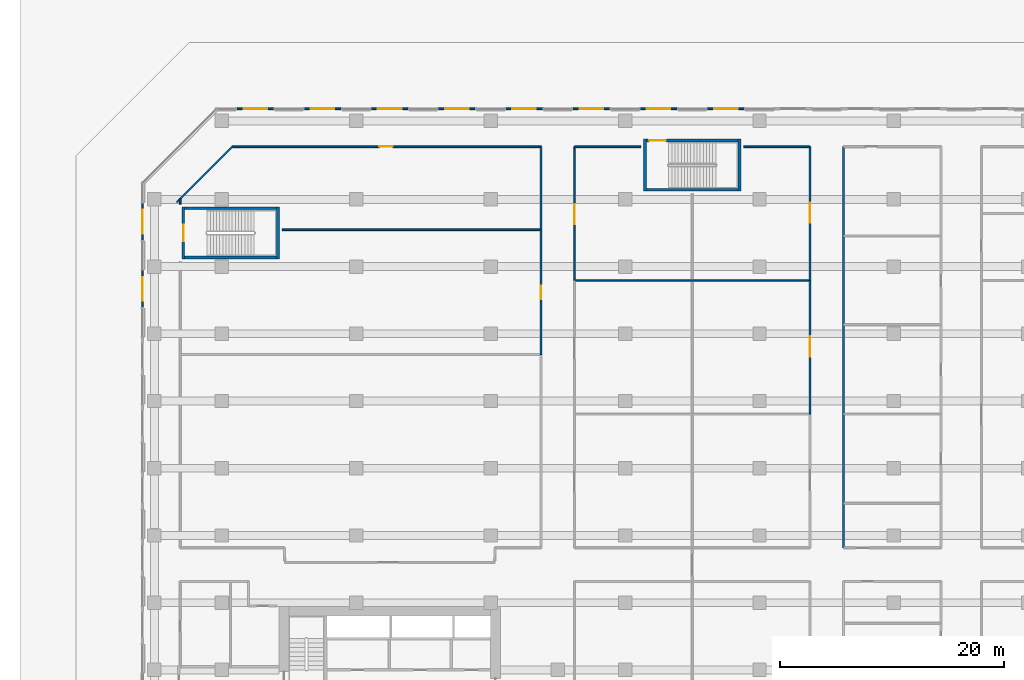
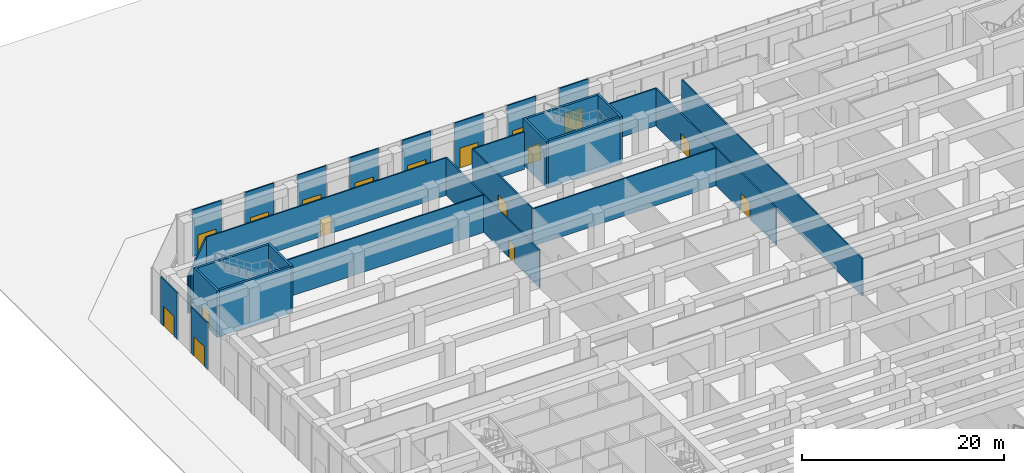
# One storey, part 22 of 32: 31 walls, 17 doors, 17 openings.
"""IFC4 building model written with IfcOpenShell, lengths in metres."""

from ifc_helpers import new_model, si_unit, direction, frame, frame_2d, origin, place, context, subcontext, project, spatial, rectangle, extrude, material, layer, layer_set, type_object, element, fill, save


model = new_model("IFC4")

# Units and contexts
model_context = context("Model", 3, precision=1e-05, world=origin(), true_north=direction((0.0, 1.0)))
body_context = subcontext(model_context, "Body", "Model", "MODEL_VIEW")
ifc_project = project(units=[si_unit("LENGTHUNIT", "METRE"), si_unit("AREAUNIT", "SQUARE_METRE"), si_unit("VOLUMEUNIT", "CUBIC_METRE"), si_unit("PLANEANGLEUNIT", "RADIAN"), si_unit("MASSUNIT", "GRAM", prefix="KILO")], contexts=[model_context])

# Site, building, storey
site_placement = place(None, origin())
site = spatial("IfcSite", under=ifc_project, at=site_placement, CompositionType="ELEMENT")
building_placement = place(site_placement, origin())
building = spatial("IfcBuilding", under=site, at=building_placement, Name="Welwitschia Terrace Campus", CompositionType="ELEMENT")
storey_placement = place(building_placement, origin())
storey = spatial("IfcBuildingStorey", under=building, at=storey_placement, Name="L00", CompositionType="ELEMENT", Elevation=0.0)

# Wall, opening, door
ifc_material_1 = material(Name="Concrete C40/50", Category="concrete")
ifc_layer_1 = layer(ifc_material_1, 0.139892578125)
ifc_layer_set_1 = layer_set([ifc_layer_1], Name="Concrete C40/50")
wall_type_1 = type_object("IfcWallType", Name="Clad wall 140", PredefinedType="SOLIDWALL", material=ifc_layer_set_1)
wall_1_placement = place(storey_placement, frame((46.64990234375, 70.0849609375, 0.0), z_axis=(0.0, 0.0, 1.0), x_axis=(-1.0, 0.0, 0.0)))
wall_1 = element("IfcWall", 1, at=wall_1_placement, inside=storey, type_object=wall_type_1, Name="Clad wall L00.entrance N8", PredefinedType="SOLIDWALL", context=body_context, shape_type="SweptSolid", body=[
    extrude(rectangle(XDim=3.2998046875, YDim=0.139892578125, at=frame_2d((1.64990234375, 0.0))), origin(), (0.0, 0.0, 1.0), 5.64990234375),
])
opening_1_placement = place(wall_1_placement, frame((0.60009765625, 0.0, 0.0)))
opening_1 = element("IfcOpeningElement", 2, at=opening_1_placement, cuts=wall_1, Name="Opening DE1", PredefinedType="OPENING", context=body_context, shape_type="SweptSolid", body=[
    extrude(rectangle(XDim=2.10009765625, YDim=2.39990234375, at=frame_2d((1.050048828125, 1.199951171875))), frame((0.0, 0.079833984375, 0.0), z_axis=(0.0, -1.0, 0.0), x_axis=(1.0, 0.0, 0.0)), (0.0, 0.0, 1.0), 0.159912109375),
])
ifc_material_2 = material(Name="Bronze anodised aluminium and glass", Category="aluminium")
door_type_1 = type_object("IfcDoorType", Name="Entrance door 2100x2400", OperationType="DOUBLE_DOOR_DOUBLE_SWING", PredefinedType="DOOR", material=ifc_material_2)
door_1_placement = place(opening_1_placement, origin())
door_1 = element("IfcDoor", 3, at=door_1_placement, inside=storey, type_object=door_type_1, Name="Entrance door N8", OperationType="DOUBLE_DOOR_DOUBLE_SWING", OverallHeight=2.39990234375, OverallWidth=2.10009765625, PredefinedType="DOOR", context=body_context, shape_type="SweptSolid", body=[
    extrude(rectangle(XDim=2.10009765625, YDim=2.39990234375, at=frame_2d((1.050048828125, 1.199951171875))), frame((0.0, 0.02490234375, 0.0), z_axis=(0.0, -1.0, 0.0), x_axis=(1.0, 0.0, 0.0)), (0.0, 0.0, 1.0), 0.050048828125),
])
fill(opening_1, door_1)

wall_2_placement = place(storey_placement, frame((40.64990234375, 70.0849609375, 0.0), z_axis=(0.0, 0.0, 1.0), x_axis=(-1.0, 0.0, 0.0)))
wall_2 = element("IfcWall", 4, at=wall_2_placement, inside=storey, type_object=wall_type_1, Name="Clad wall L00.entrance N9", PredefinedType="SOLIDWALL", context=body_context, shape_type="SweptSolid", body=[
    extrude(rectangle(XDim=3.2998046875, YDim=0.139892578125, at=frame_2d((1.64990234375, 0.0))), origin(), (0.0, 0.0, 1.0), 5.64990234375),
])
opening_2_placement = place(wall_2_placement, frame((0.60009765625, 0.0, 0.0)))
opening_2 = element("IfcOpeningElement", 5, at=opening_2_placement, cuts=wall_2, Name="Opening DE1", PredefinedType="OPENING", context=body_context, shape_type="SweptSolid", body=[
    extrude(rectangle(XDim=2.10009765625, YDim=2.39990234375, at=frame_2d((1.050048828125, 1.199951171875))), frame((0.0, 0.079833984375, 0.0), z_axis=(0.0, -1.0, 0.0), x_axis=(1.0, 0.0, 0.0)), (0.0, 0.0, 1.0), 0.159912109375),
])
door_2_placement = place(opening_2_placement, origin())
door_2 = element("IfcDoor", 6, at=door_2_placement, inside=storey, type_object=door_type_1, Name="Entrance door N9", OperationType="DOUBLE_DOOR_DOUBLE_SWING", OverallHeight=2.39990234375, OverallWidth=2.10009765625, PredefinedType="DOOR", context=body_context, shape_type="SweptSolid", body=[
    extrude(rectangle(XDim=2.10009765625, YDim=2.39990234375, at=frame_2d((1.050048828125, 1.199951171875))), frame((0.0, 0.02490234375, 0.0), z_axis=(0.0, -1.0, 0.0), x_axis=(1.0, 0.0, 0.0)), (0.0, 0.0, 1.0), 0.050048828125),
])
fill(opening_2, door_2)

wall_3_placement = place(storey_placement, frame((34.64990234375, 70.0849609375, 0.0), z_axis=(0.0, 0.0, 1.0), x_axis=(-1.0, 0.0, 0.0)))
wall_3 = element("IfcWall", 7, at=wall_3_placement, inside=storey, type_object=wall_type_1, Name="Clad wall L00.entrance N10", PredefinedType="SOLIDWALL", context=body_context, shape_type="SweptSolid", body=[
    extrude(rectangle(XDim=3.2998046875, YDim=0.139892578125, at=frame_2d((1.64990234375, 0.0))), origin(), (0.0, 0.0, 1.0), 5.64990234375),
])
opening_3_placement = place(wall_3_placement, frame((0.60009765625, 0.0, 0.0)))
opening_3 = element("IfcOpeningElement", 8, at=opening_3_placement, cuts=wall_3, Name="Opening DE1", PredefinedType="OPENING", context=body_context, shape_type="SweptSolid", body=[
    extrude(rectangle(XDim=2.10009765625, YDim=2.39990234375, at=frame_2d((1.050048828125, 1.199951171875))), frame((0.0, 0.079833984375, 0.0), z_axis=(0.0, -1.0, 0.0), x_axis=(1.0, 0.0, 0.0)), (0.0, 0.0, 1.0), 0.159912109375),
])
door_3_placement = place(opening_3_placement, origin())
door_3 = element("IfcDoor", 9, at=door_3_placement, inside=storey, type_object=door_type_1, Name="Entrance door N10", OperationType="DOUBLE_DOOR_DOUBLE_SWING", OverallHeight=2.39990234375, OverallWidth=2.10009765625, PredefinedType="DOOR", context=body_context, shape_type="SweptSolid", body=[
    extrude(rectangle(XDim=2.10009765625, YDim=2.39990234375, at=frame_2d((1.050048828125, 1.199951171875))), frame((0.0, 0.02490234375, 0.0), z_axis=(0.0, -1.0, 0.0), x_axis=(1.0, 0.0, 0.0)), (0.0, 0.0, 1.0), 0.050048828125),
])
fill(opening_3, door_3)

wall_4_placement = place(storey_placement, frame((28.64990234375, 70.0849609375, 0.0), z_axis=(0.0, 0.0, 1.0), x_axis=(-1.0, 0.0, 0.0)))
wall_4 = element("IfcWall", 10, at=wall_4_placement, inside=storey, type_object=wall_type_1, Name="Clad wall L00.entrance N11", PredefinedType="SOLIDWALL", context=body_context, shape_type="SweptSolid", body=[
    extrude(rectangle(XDim=3.2998046875, YDim=0.139892578125, at=frame_2d((1.64990234375, 0.0))), origin(), (0.0, 0.0, 1.0), 5.64990234375),
])
opening_4_placement = place(wall_4_placement, frame((0.60009765625, 0.0, 0.0)))
opening_4 = element("IfcOpeningElement", 11, at=opening_4_placement, cuts=wall_4, Name="Opening DE1", PredefinedType="OPENING", context=body_context, shape_type="SweptSolid", body=[
    extrude(rectangle(XDim=2.10009765625, YDim=2.39990234375, at=frame_2d((1.050048828125, 1.199951171875))), frame((0.0, 0.079833984375, 0.0), z_axis=(0.0, -1.0, 0.0), x_axis=(1.0, 0.0, 0.0)), (0.0, 0.0, 1.0), 0.159912109375),
])
door_4_placement = place(opening_4_placement, origin())
door_4 = element("IfcDoor", 12, at=door_4_placement, inside=storey, type_object=door_type_1, Name="Entrance door N11", OperationType="DOUBLE_DOOR_DOUBLE_SWING", OverallHeight=2.39990234375, OverallWidth=2.10009765625, PredefinedType="DOOR", context=body_context, shape_type="SweptSolid", body=[
    extrude(rectangle(XDim=2.10009765625, YDim=2.39990234375, at=frame_2d((1.050048828125, 1.199951171875))), frame((0.0, 0.02490234375, 0.0), z_axis=(0.0, -1.0, 0.0), x_axis=(1.0, 0.0, 0.0)), (0.0, 0.0, 1.0), 0.050048828125),
])
fill(opening_4, door_4)

wall_5_placement = place(storey_placement, frame((22.64990234375, 70.0849609375, 0.0), z_axis=(0.0, 0.0, 1.0), x_axis=(-1.0, 0.0, 0.0)))
wall_5 = element("IfcWall", 13, at=wall_5_placement, inside=storey, type_object=wall_type_1, Name="Clad wall L00.entrance N12", PredefinedType="SOLIDWALL", context=body_context, shape_type="SweptSolid", body=[
    extrude(rectangle(XDim=3.2998046875, YDim=0.139892578125, at=frame_2d((1.64990234375, 0.0))), origin(), (0.0, 0.0, 1.0), 5.64990234375),
])
opening_5_placement = place(wall_5_placement, frame((0.60009765625, 0.0, 0.0)))
opening_5 = element("IfcOpeningElement", 14, at=opening_5_placement, cuts=wall_5, Name="Opening DE1", PredefinedType="OPENING", context=body_context, shape_type="SweptSolid", body=[
    extrude(rectangle(XDim=2.10009765625, YDim=2.39990234375, at=frame_2d((1.050048828125, 1.199951171875))), frame((0.0, 0.079833984375, 0.0), z_axis=(0.0, -1.0, 0.0), x_axis=(1.0, 0.0, 0.0)), (0.0, 0.0, 1.0), 0.159912109375),
])
door_5_placement = place(opening_5_placement, origin())
door_5 = element("IfcDoor", 15, at=door_5_placement, inside=storey, type_object=door_type_1, Name="Entrance door N12", OperationType="DOUBLE_DOOR_DOUBLE_SWING", OverallHeight=2.39990234375, OverallWidth=2.10009765625, PredefinedType="DOOR", context=body_context, shape_type="SweptSolid", body=[
    extrude(rectangle(XDim=2.10009765625, YDim=2.39990234375, at=frame_2d((1.050048828125, 1.199951171875))), frame((0.0, 0.02490234375, 0.0), z_axis=(0.0, -1.0, 0.0), x_axis=(1.0, 0.0, 0.0)), (0.0, 0.0, 1.0), 0.050048828125),
])
fill(opening_5, door_5)

wall_6_placement = place(storey_placement, frame((16.64990234375, 70.0849609375, 0.0), z_axis=(0.0, 0.0, 1.0), x_axis=(-1.0, 0.0, 0.0)))
wall_6 = element("IfcWall", 16, at=wall_6_placement, inside=storey, type_object=wall_type_1, Name="Clad wall L00.entrance N13", PredefinedType="SOLIDWALL", context=body_context, shape_type="SweptSolid", body=[
    extrude(rectangle(XDim=3.2998046875, YDim=0.139892578125, at=frame_2d((1.64990234375, 0.0))), origin(), (0.0, 0.0, 1.0), 5.64990234375),
])
opening_6_placement = place(wall_6_placement, frame((0.60009765625, 0.0, 0.0)))
opening_6 = element("IfcOpeningElement", 17, at=opening_6_placement, cuts=wall_6, Name="Opening DE1", PredefinedType="OPENING", context=body_context, shape_type="SweptSolid", body=[
    extrude(rectangle(XDim=2.10009765625, YDim=2.39990234375, at=frame_2d((1.050048828125, 1.199951171875))), frame((0.0, 0.079833984375, 0.0), z_axis=(0.0, -1.0, 0.0), x_axis=(1.0, 0.0, 0.0)), (0.0, 0.0, 1.0), 0.159912109375),
])
door_6_placement = place(opening_6_placement, origin())
door_6 = element("IfcDoor", 18, at=door_6_placement, inside=storey, type_object=door_type_1, Name="Entrance door N13", OperationType="DOUBLE_DOOR_DOUBLE_SWING", OverallHeight=2.39990234375, OverallWidth=2.10009765625, PredefinedType="DOOR", context=body_context, shape_type="SweptSolid", body=[
    extrude(rectangle(XDim=2.10009765625, YDim=2.39990234375, at=frame_2d((1.050048828125, 1.199951171875))), frame((0.0, 0.02490234375, 0.0), z_axis=(0.0, -1.0, 0.0), x_axis=(1.0, 0.0, 0.0)), (0.0, 0.0, 1.0), 0.050048828125),
])
fill(opening_6, door_6)

wall_7_placement = place(storey_placement, frame((10.64990234375, 70.0849609375, 0.0), z_axis=(0.0, 0.0, 1.0), x_axis=(-1.0, 0.0, 0.0)))
wall_7 = element("IfcWall", 19, at=wall_7_placement, inside=storey, type_object=wall_type_1, Name="Clad wall L00.entrance N14", PredefinedType="SOLIDWALL", context=body_context, shape_type="SweptSolid", body=[
    extrude(rectangle(XDim=3.2998046875, YDim=0.139892578125, at=frame_2d((1.64990234375, 0.0))), origin(), (0.0, 0.0, 1.0), 5.64990234375),
])
opening_7_placement = place(wall_7_placement, frame((0.60009765625, 0.0, 0.0)))
opening_7 = element("IfcOpeningElement", 20, at=opening_7_placement, cuts=wall_7, Name="Opening DE1", PredefinedType="OPENING", context=body_context, shape_type="SweptSolid", body=[
    extrude(rectangle(XDim=2.10009765625, YDim=2.39990234375, at=frame_2d((1.050048828125, 1.199951171875))), frame((0.0, 0.079833984375, 0.0), z_axis=(0.0, -1.0, 0.0), x_axis=(1.0, 0.0, 0.0)), (0.0, 0.0, 1.0), 0.159912109375),
])
door_7_placement = place(opening_7_placement, origin())
door_7 = element("IfcDoor", 21, at=door_7_placement, inside=storey, type_object=door_type_1, Name="Entrance door N14", OperationType="DOUBLE_DOOR_DOUBLE_SWING", OverallHeight=2.39990234375, OverallWidth=2.10009765625, PredefinedType="DOOR", context=body_context, shape_type="SweptSolid", body=[
    extrude(rectangle(XDim=2.10009765625, YDim=2.39990234375, at=frame_2d((1.050048828125, 1.199951171875))), frame((0.0, 0.02490234375, 0.0), z_axis=(0.0, -1.0, 0.0), x_axis=(1.0, 0.0, 0.0)), (0.0, 0.0, 1.0), 0.050048828125),
])
fill(opening_7, door_7)

wall_8_placement = place(storey_placement, frame((4.64990234375, 70.0849609375, 0.0), z_axis=(0.0, 0.0, 1.0), x_axis=(-1.0, 0.0, 0.0)))
wall_8 = element("IfcWall", 22, at=wall_8_placement, inside=storey, type_object=wall_type_1, Name="Clad wall L00.entrance N15", PredefinedType="SOLIDWALL", context=body_context, shape_type="SweptSolid", body=[
    extrude(rectangle(XDim=3.2998046875, YDim=0.139892578125, at=frame_2d((1.64990234375, 0.0))), origin(), (0.0, 0.0, 1.0), 5.64990234375),
])
opening_8_placement = place(wall_8_placement, frame((0.60009765625, 0.0, 0.0)))
opening_8 = element("IfcOpeningElement", 23, at=opening_8_placement, cuts=wall_8, Name="Opening DE1", PredefinedType="OPENING", context=body_context, shape_type="SweptSolid", body=[
    extrude(rectangle(XDim=2.10009765625, YDim=2.39990234375, at=frame_2d((1.050048828125, 1.199951171875))), frame((0.0, 0.079833984375, 0.0), z_axis=(0.0, -1.0, 0.0), x_axis=(1.0, 0.0, 0.0)), (0.0, 0.0, 1.0), 0.159912109375),
])
door_8_placement = place(opening_8_placement, origin())
door_8 = element("IfcDoor", 24, at=door_8_placement, inside=storey, type_object=door_type_1, Name="Entrance door N15", OperationType="DOUBLE_DOOR_DOUBLE_SWING", OverallHeight=2.39990234375, OverallWidth=2.10009765625, PredefinedType="DOOR", context=body_context, shape_type="SweptSolid", body=[
    extrude(rectangle(XDim=2.10009765625, YDim=2.39990234375, at=frame_2d((1.050048828125, 1.199951171875))), frame((0.0, 0.02490234375, 0.0), z_axis=(0.0, -1.0, 0.0), x_axis=(1.0, 0.0, 0.0)), (0.0, 0.0, 1.0), 0.050048828125),
])
fill(opening_8, door_8)

wall_9_placement = place(storey_placement, frame((-7.0849609375, 61.64990234375, 0.0), z_axis=(0.0, 0.0, 1.0), x_axis=(0.0, -1.0, 0.0)))
wall_9 = element("IfcWall", 25, at=wall_9_placement, inside=storey, type_object=wall_type_1, Name="Clad wall L00.entrance W1", PredefinedType="SOLIDWALL", context=body_context, shape_type="SweptSolid", body=[
    extrude(rectangle(XDim=3.2998046875, YDim=0.139892578125, at=frame_2d((1.64990234375, 0.0))), origin(), (0.0, 0.0, 1.0), 5.64990234375),
])
opening_9_placement = place(wall_9_placement, frame((0.60009765625, 0.0, 0.0)))
opening_9 = element("IfcOpeningElement", 26, at=opening_9_placement, cuts=wall_9, Name="Opening DE1", PredefinedType="OPENING", context=body_context, shape_type="SweptSolid", body=[
    extrude(rectangle(XDim=2.10009765625, YDim=2.39990234375, at=frame_2d((1.050048828125, 1.199951171875))), frame((0.0, 0.079833984375, 0.0), z_axis=(0.0, -1.0, 0.0), x_axis=(1.0, 0.0, 0.0)), (0.0, 0.0, 1.0), 0.159912109375),
])
door_9_placement = place(opening_9_placement, origin())
door_9 = element("IfcDoor", 27, at=door_9_placement, inside=storey, type_object=door_type_1, Name="Entrance door W1", OperationType="DOUBLE_DOOR_DOUBLE_SWING", OverallHeight=2.39990234375, OverallWidth=2.10009765625, PredefinedType="DOOR", context=body_context, shape_type="SweptSolid", body=[
    extrude(rectangle(XDim=2.10009765625, YDim=2.39990234375, at=frame_2d((1.050048828125, 1.199951171875))), frame((0.0, 0.02490234375, 0.0), z_axis=(0.0, -1.0, 0.0), x_axis=(1.0, 0.0, 0.0)), (0.0, 0.0, 1.0), 0.050048828125),
])
fill(opening_9, door_9)

wall_10_placement = place(storey_placement, frame((-7.0849609375, 55.64990234375, 0.0), z_axis=(0.0, 0.0, 1.0), x_axis=(0.0, -1.0, 0.0)))
wall_10 = element("IfcWall", 28, at=wall_10_placement, inside=storey, type_object=wall_type_1, Name="Clad wall L00.entrance W2", PredefinedType="SOLIDWALL", context=body_context, shape_type="SweptSolid", body=[
    extrude(rectangle(XDim=3.2998046875, YDim=0.139892578125, at=frame_2d((1.64990234375, 0.0))), origin(), (0.0, 0.0, 1.0), 5.64990234375),
])
opening_10_placement = place(wall_10_placement, frame((0.60009765625, 0.0, 0.0)))
opening_10 = element("IfcOpeningElement", 29, at=opening_10_placement, cuts=wall_10, Name="Opening DE1", PredefinedType="OPENING", context=body_context, shape_type="SweptSolid", body=[
    extrude(rectangle(XDim=2.10009765625, YDim=2.39990234375, at=frame_2d((1.050048828125, 1.199951171875))), frame((0.0, 0.079833984375, 0.0), z_axis=(0.0, -1.0, 0.0), x_axis=(1.0, 0.0, 0.0)), (0.0, 0.0, 1.0), 0.159912109375),
])
door_10_placement = place(opening_10_placement, origin())
door_10 = element("IfcDoor", 30, at=door_10_placement, inside=storey, type_object=door_type_1, Name="Entrance door W2", OperationType="DOUBLE_DOOR_DOUBLE_SWING", OverallHeight=2.39990234375, OverallWidth=2.10009765625, PredefinedType="DOOR", context=body_context, shape_type="SweptSolid", body=[
    extrude(rectangle(XDim=2.10009765625, YDim=2.39990234375, at=frame_2d((1.050048828125, 1.199951171875))), frame((0.0, 0.02490234375, 0.0), z_axis=(0.0, -1.0, 0.0), x_axis=(1.0, 0.0, 0.0)), (0.0, 0.0, 1.0), 0.050048828125),
])
fill(opening_10, door_10)

ifc_material_3 = material(Name="Concrete C50/60", Category="concrete")
ifc_layer_2 = layer(ifc_material_3, 0.25)
ifc_layer_set_2 = layer_set([ifc_layer_2], Name="Concrete C50/60")
wall_type_2 = type_object("IfcWallType", Name="Core wall 250 Concrete C50/60", PredefinedType="SHEAR", material=ifc_layer_set_2)
wall_11_placement = place(storey_placement, frame((-3.425048828125, 56.675048828125, 0.0), z_axis=(0.0, 0.0, 1.0), x_axis=(0.0, 1.0, 0.0)))
wall_11 = element("IfcWall", 31, at=wall_11_placement, inside=storey, type_object=wall_type_2, Name="Core wall", PredefinedType="SHEAR", context=body_context, shape_type="SweptSolid", body=[
    extrude(rectangle(XDim=4.64990234375, YDim=0.25, at=frame_2d((2.324951171875, 0.0))), origin(), (0.0, 0.0, 1.0), 5.64990234375),
])
opening_11_placement = place(wall_11_placement, frame((1.574951171875, 0.0, 0.0)))
opening_11 = element("IfcOpeningElement", 32, at=opening_11_placement, cuts=wall_11, Name="Opening DS15", PredefinedType="OPENING", context=body_context, shape_type="SweptSolid", body=[
    extrude(rectangle(XDim=1.5, YDim=2.10009765625, at=frame_2d((0.75, 1.050048828125))), frame((0.0, 0.135009765625, 0.0), z_axis=(0.0, -1.0, 0.0), x_axis=(1.0, 0.0, 0.0)), (0.0, 0.0, 1.0), 0.27001953125),
])
ifc_material_4 = material(Name="Steel S275", Category="steel")
door_type_2 = type_object("IfcDoorType", Name="Core door DS15", OperationType="DOUBLE_DOOR_SINGLE_SWING", PredefinedType="DOOR", material=ifc_material_4)
door_11_placement = place(opening_11_placement, origin())
door_11 = element("IfcDoor", 33, at=door_11_placement, inside=storey, type_object=door_type_2, Name="Door P4", OperationType="DOUBLE_DOOR_SINGLE_SWING", OverallHeight=2.10009765625, OverallWidth=1.5, PredefinedType="DOOR", context=body_context, shape_type="SweptSolid", body=[
    extrude(rectangle(XDim=1.5, YDim=2.10009765625, at=frame_2d((0.75, 1.050048828125))), frame((0.0, 0.02490234375, 0.0), z_axis=(0.0, -1.0, 0.0), x_axis=(1.0, 0.0, 0.0)), (0.0, 0.0, 1.0), 0.050048828125),
])
fill(opening_11, door_11)

# Walls
wall_12_placement = place(storey_placement, frame((5.02490234375, 56.675048828125, 0.0), z_axis=(0.0, 0.0, 1.0), x_axis=(0.0, 1.0, 0.0)))
element("IfcWall", 34, at=wall_12_placement, inside=storey, type_object=wall_type_2, Name="Core wall", PredefinedType="SHEAR", context=body_context, shape_type="SweptSolid", body=[
    extrude(rectangle(XDim=4.64990234375, YDim=0.25, at=frame_2d((2.324951171875, 0.0))), origin(), (0.0, 0.0, 1.0), 5.64990234375),
])
for number, where, z_axis, x_axis, name in (
    (35, (-3.300048828125, 56.800048828125, 0.0), (0.0, 0.0, 1.0), (1.0, 0.0, 0.0), "Core wall"),
    (36, (-3.300048828125, 61.199951171875, 0.0), (0.0, 0.0, 1.0), (1.0, 0.0, 0.0), "Core wall"),
):
    element("IfcWall", number, at=place(storey_placement, frame(where, z_axis=z_axis, x_axis=x_axis)), inside=storey, type_object=wall_type_2, Name=name, PredefinedType="SHEAR", context=body_context, shape_type="SweptSolid", body=[
        extrude(rectangle(XDim=8.199951171875, YDim=0.25, at=frame_2d((4.10009765625, 0.0))), origin(), (0.0, 0.0, 1.0), 5.64990234375),
    ])
for number, where, z_axis, x_axis, name in (
    (37, (37.77490234375, 62.72509765625, 0.0), (0.0, 0.0, 1.0), (0.0, 1.0, 0.0), "Core wall"),
    (38, (46.22509765625, 62.72509765625, 0.0), (0.0, 0.0, 1.0), (0.0, 1.0, 0.0), "Core wall"),
):
    element("IfcWall", number, at=place(storey_placement, frame(where, z_axis=z_axis, x_axis=x_axis)), inside=storey, type_object=wall_type_2, Name=name, PredefinedType="SHEAR", context=body_context, shape_type="SweptSolid", body=[
        extrude(rectangle(XDim=4.64990234375, YDim=0.25, at=frame_2d((2.324951171875, 0.0))), origin(), (0.0, 0.0, 1.0), 5.64990234375),
    ])
wall_13_placement = place(storey_placement, frame((37.89990234375, 62.85009765625, 0.0), z_axis=(0.0, 0.0, 1.0), x_axis=(1.0, 0.0, 0.0)))
element("IfcWall", 39, at=wall_13_placement, inside=storey, type_object=wall_type_2, Name="Core wall", PredefinedType="SHEAR", context=body_context, shape_type="SweptSolid", body=[
    extrude(rectangle(XDim=8.2001953125, YDim=0.25, at=frame_2d((4.10009765625, 0.0))), origin(), (0.0, 0.0, 1.0), 5.64990234375),
])

# Wall, opening, door
wall_14_placement = place(storey_placement, frame((37.89990234375, 67.25, 0.0), z_axis=(0.0, 0.0, 1.0), x_axis=(1.0, 0.0, 0.0)))
wall_14 = element("IfcWall", 40, at=wall_14_placement, inside=storey, type_object=wall_type_2, Name="Core wall", PredefinedType="SHEAR", context=body_context, shape_type="SweptSolid", body=[
    extrude(rectangle(XDim=8.2001953125, YDim=0.25, at=frame_2d((4.10009765625, 0.0))), origin(), (0.0, 0.0, 1.0), 5.64990234375),
])
opening_12_placement = place(wall_14_placement, frame((0.25, 0.0, 0.0)))
opening_12 = element("IfcOpeningElement", 41, at=opening_12_placement, cuts=wall_14, Name="Opening DS15", PredefinedType="OPENING", context=body_context, shape_type="SweptSolid", body=[
    extrude(rectangle(XDim=1.5, YDim=2.10009765625, at=frame_2d((0.75, 1.050048828125))), frame((0.0, 0.135009765625, 0.0), z_axis=(0.0, -1.0, 0.0), x_axis=(1.0, 0.0, 0.0)), (0.0, 0.0, 1.0), 0.27001953125),
])
door_12_placement = place(opening_12_placement, origin())
door_12 = element("IfcDoor", 42, at=door_12_placement, inside=storey, type_object=door_type_2, Name="Door P7", OperationType="DOUBLE_DOOR_SINGLE_SWING", OverallHeight=2.10009765625, OverallWidth=1.5, PredefinedType="DOOR", context=body_context, shape_type="SweptSolid", body=[
    extrude(rectangle(XDim=1.5, YDim=2.10009765625, at=frame_2d((0.75, 1.050048828125))), frame((0.0, 0.02490234375, 0.0), z_axis=(0.0, -1.0, 0.0), x_axis=(1.0, 0.0, 0.0)), (0.0, 0.0, 1.0), 0.050048828125),
])
fill(opening_12, door_12)

# Walls
ifc_material_5 = material(Name="Gypsum board on steel studs", Category="steel")
ifc_layer_3 = layer(ifc_material_5, 0.14990234375)
ifc_layer_set_3 = layer_set([ifc_layer_3], Name="Gypsum board on steel studs")
wall_type_3 = type_object("IfcWallType", Name="Corridor partition 150 EI 30", PredefinedType="PARTITIONING", material=ifc_layer_set_3)
wall_15_placement = place(storey_placement, frame((-4.01318359375, 61.73681640625, 0.0), z_axis=(0.0, 0.0, 1.0), x_axis=(0.707106781187, 0.707106781187, 0.0)))
element("IfcWall", 43, at=wall_15_placement, inside=storey, type_object=wall_type_3, Name="Partition", PredefinedType="PARTITIONING", context=body_context, shape_type="SweptSolid", body=[
    extrude(rectangle(XDim=7.01904296875, YDim=0.14990234375, at=frame_2d((3.509521484375, 0.0))), origin(), (0.0, 0.0, 1.0), 4.530029296875),
])
wall_16_placement = place(storey_placement, frame((-3.699951171875, 61.580078125, 0.0), z_axis=(0.0, 0.0, 1.0), x_axis=(0.0, 1.0, 0.0)))
element("IfcWall", 44, at=wall_16_placement, inside=storey, type_object=wall_type_3, Name="Partition", PredefinedType="PARTITIONING", context=body_context, shape_type="SweptSolid", body=[
    extrude(rectangle(XDim=0.469970703125, YDim=0.14990234375, at=frame_2d((0.23486328125, 0.0))), origin(), (0.0, 0.0, 1.0), 4.530029296875),
])
wall_17_placement = place(storey_placement, frame((5.39990234375, 59.280029296875, 0.0), z_axis=(0.0, 0.0, 1.0), x_axis=(1.0, 0.0, 0.0)))
element("IfcWall", 45, at=wall_17_placement, inside=storey, type_object=wall_type_3, Name="Partition", PredefinedType="PARTITIONING", context=body_context, shape_type="SweptSolid", body=[
    extrude(rectangle(XDim=23.10009765625, YDim=0.14990234375, at=frame_2d((11.550048828125, 0.0))), origin(), (0.0, 0.0, 1.0), 4.530029296875),
])

# Wall, opening, door
wall_18_placement = place(storey_placement, frame((28.5, 48.14990234375, 0.0), z_axis=(0.0, 0.0, 1.0), x_axis=(0.0, 1.0, 0.0)))
wall_18 = element("IfcWall", 46, at=wall_18_placement, inside=storey, type_object=wall_type_3, Name="Partition", PredefinedType="PARTITIONING", context=body_context, shape_type="SweptSolid", body=[
    extrude(rectangle(XDim=11.130126953125, YDim=0.14990234375, at=frame_2d((5.56494140625, 0.0))), origin(), (0.0, 0.0, 1.0), 4.530029296875),
])
opening_13_placement = place(wall_18_placement, frame((4.929931640625, 0.0, 0.0)))
opening_13 = element("IfcOpeningElement", 47, at=opening_13_placement, cuts=wall_18, Name="Opening DI12", PredefinedType="OPENING", context=body_context, shape_type="SweptSolid", body=[
    extrude(rectangle(XDim=1.199951171875, YDim=2.10009765625, at=frame_2d((0.60009765625, 1.050048828125))), frame((0.0, 0.0849609375, 0.0), z_axis=(0.0, -1.0, 0.0), x_axis=(1.0, 0.0, 0.0)), (0.0, 0.0, 1.0), 0.169921875),
])
ifc_material_6 = material(Name="Timber veneered door", Category="wood")
door_type_3 = type_object("IfcDoorType", Name="Interior door DI12", OperationType="NOTDEFINED", PredefinedType="DOOR", material=ifc_material_6)
door_13_placement = place(opening_13_placement, origin())
door_13 = element("IfcDoor", 48, at=door_13_placement, inside=storey, type_object=door_type_3, Name="Door L00 025", OperationType="SINGLE_SWING_RIGHT", OverallHeight=2.10009765625, OverallWidth=1.199951171875, PredefinedType="DOOR", context=body_context, shape_type="SweptSolid", body=[
    extrude(rectangle(XDim=1.199951171875, YDim=2.10009765625, at=frame_2d((0.60009765625, 1.050048828125))), frame((0.0, 0.02490234375, 0.0), z_axis=(0.0, -1.0, 0.0), x_axis=(1.0, 0.0, 0.0)), (0.0, 0.0, 1.0), 0.050048828125),
])
fill(opening_13, door_13)

# Wall
wall_19_placement = place(storey_placement, frame((28.5, 59.280029296875, 0.0), z_axis=(0.0, 0.0, 1.0), x_axis=(0.0, 1.0, 0.0)))
element("IfcWall", 49, at=wall_19_placement, inside=storey, type_object=wall_type_3, Name="Partition", PredefinedType="PARTITIONING", context=body_context, shape_type="SweptSolid", body=[
    extrude(rectangle(XDim=7.419921875, YDim=0.14990234375, at=frame_2d((3.7099609375, 0.0))), origin(), (0.0, 0.0, 1.0), 4.530029296875),
])

# Wall, opening, door
wall_20_placement = place(storey_placement, frame((28.5, 66.699951171875, 0.0), z_axis=(0.0, 0.0, 1.0), x_axis=(-1.0, 0.0, 0.0)))
wall_20 = element("IfcWall", 50, at=wall_20_placement, inside=storey, type_object=wall_type_3, Name="Partition", PredefinedType="PARTITIONING", context=body_context, shape_type="SweptSolid", body=[
    extrude(rectangle(XDim=27.550048828125, YDim=0.14990234375, at=frame_2d((13.77490234375, 0.0))), origin(), (0.0, 0.0, 1.0), 4.530029296875),
])
opening_14_placement = place(wall_20_placement, frame((13.25, 0.0, 0.0)))
opening_14 = element("IfcOpeningElement", 51, at=opening_14_placement, cuts=wall_20, Name="Opening DI12", PredefinedType="OPENING", context=body_context, shape_type="SweptSolid", body=[
    extrude(rectangle(XDim=1.199951171875, YDim=2.10009765625, at=frame_2d((0.60009765625, 1.050048828125))), frame((0.0, 0.0849609375, 0.0), z_axis=(0.0, -1.0, 0.0), x_axis=(1.0, 0.0, 0.0)), (0.0, 0.0, 1.0), 0.169921875),
])
door_14_placement = place(opening_14_placement, origin())
door_14 = element("IfcDoor", 52, at=door_14_placement, inside=storey, type_object=door_type_3, Name="Door L00 026", OperationType="SINGLE_SWING_LEFT", OverallHeight=2.10009765625, OverallWidth=1.199951171875, PredefinedType="DOOR", context=body_context, shape_type="SweptSolid", body=[
    extrude(rectangle(XDim=1.199951171875, YDim=2.10009765625, at=frame_2d((0.60009765625, 1.050048828125))), frame((0.0, 0.02490234375, 0.0), z_axis=(0.0, -1.0, 0.0), x_axis=(1.0, 0.0, 0.0)), (0.0, 0.0, 1.0), 0.050048828125),
])
fill(opening_14, door_14)

wall_21_placement = place(storey_placement, frame((31.5, 54.77001953125, 0.0), z_axis=(0.0, 0.0, 1.0), x_axis=(0.0, 1.0, 0.0)))
wall_21 = element("IfcWall", 53, at=wall_21_placement, inside=storey, type_object=wall_type_3, Name="Partition", PredefinedType="PARTITIONING", context=body_context, shape_type="SweptSolid", body=[
    extrude(rectangle(XDim=11.929931640625, YDim=0.14990234375, at=frame_2d((5.96484375, 0.0))), origin(), (0.0, 0.0, 1.0), 4.530029296875),
])
opening_15_placement = place(wall_21_placement, frame((5.0, 0.0, 0.0)))
opening_15 = element("IfcOpeningElement", 54, at=opening_15_placement, cuts=wall_21, Name="Opening DI18", PredefinedType="OPENING", context=body_context, shape_type="SweptSolid", body=[
    extrude(rectangle(XDim=1.800048828125, YDim=2.10009765625, at=frame_2d((0.89990234375, 1.050048828125))), frame((0.0, 0.0849609375, 0.0), z_axis=(0.0, -1.0, 0.0), x_axis=(1.0, 0.0, 0.0)), (0.0, 0.0, 1.0), 0.169921875),
])
ifc_material_7 = material(Name="Timber veneered door", Category="wood")
door_type_4 = type_object("IfcDoorType", Name="Interior door DI18", OperationType="DOUBLE_DOOR_SINGLE_SWING", PredefinedType="DOOR", material=ifc_material_7)
door_15_placement = place(opening_15_placement, origin())
door_15 = element("IfcDoor", 55, at=door_15_placement, inside=storey, type_object=door_type_4, Name="Door L00 030", OperationType="SINGLE_SWING_LEFT", OverallHeight=2.10009765625, OverallWidth=1.800048828125, PredefinedType="DOOR", context=body_context, shape_type="SweptSolid", body=[
    extrude(rectangle(XDim=1.800048828125, YDim=2.10009765625, at=frame_2d((0.89990234375, 1.050048828125))), frame((0.0, 0.02490234375, 0.0), z_axis=(0.0, -1.0, 0.0), x_axis=(1.0, 0.0, 0.0)), (0.0, 0.0, 1.0), 0.050048828125),
])
fill(opening_15, door_15)

# Walls
wall_22_placement = place(storey_placement, frame((31.5, 54.77001953125, 0.0), z_axis=(0.0, 0.0, 1.0), x_axis=(1.0, 0.0, 0.0)))
element("IfcWall", 56, at=wall_22_placement, inside=storey, type_object=wall_type_3, Name="Partition", PredefinedType="PARTITIONING", context=body_context, shape_type="SweptSolid", body=[
    extrude(rectangle(XDim=21.0, YDim=0.14990234375, at=frame_2d((10.5, 0.0))), origin(), (0.0, 0.0, 1.0), 4.530029296875),
])
for number, where, z_axis, x_axis, name in (
    (57, (31.5, 66.699951171875, 0.0), (0.0, 0.0, 1.0), (1.0, 0.0, 0.0), "Partition"),
    (58, (46.60009765625, 66.699951171875, 0.0), (0.0, 0.0, 1.0), (1.0, 0.0, 0.0), "Partition"),
):
    element("IfcWall", number, at=place(storey_placement, frame(where, z_axis=z_axis, x_axis=x_axis)), inside=storey, type_object=wall_type_3, Name=name, PredefinedType="PARTITIONING", context=body_context, shape_type="SweptSolid", body=[
        extrude(rectangle(XDim=5.89990234375, YDim=0.14990234375, at=frame_2d((2.949951171875, 0.0))), origin(), (0.0, 0.0, 1.0), 4.530029296875),
    ])

# Wall, opening, door
wall_23_placement = place(storey_placement, frame((52.5, 54.77001953125, 0.0), z_axis=(0.0, 0.0, 1.0), x_axis=(0.0, -1.0, 0.0)))
wall_23 = element("IfcWall", 59, at=wall_23_placement, inside=storey, type_object=wall_type_3, Name="Partition", PredefinedType="PARTITIONING", context=body_context, shape_type="SweptSolid", body=[
    extrude(rectangle(XDim=11.93994140625, YDim=0.14990234375, at=frame_2d((5.969970703125, 0.0))), origin(), (0.0, 0.0, 1.0), 4.530029296875),
])
opening_16_placement = place(wall_23_placement, frame((5.0, 0.0, 0.0)))
opening_16 = element("IfcOpeningElement", 60, at=opening_16_placement, cuts=wall_23, Name="Opening DI18", PredefinedType="OPENING", context=body_context, shape_type="SweptSolid", body=[
    extrude(rectangle(XDim=1.800048828125, YDim=2.10009765625, at=frame_2d((0.89990234375, 1.050048828125))), frame((0.0, 0.0849609375, 0.0), z_axis=(0.0, -1.0, 0.0), x_axis=(1.0, 0.0, 0.0)), (0.0, 0.0, 1.0), 0.169921875),
])
door_16_placement = place(opening_16_placement, origin())
door_16 = element("IfcDoor", 61, at=door_16_placement, inside=storey, type_object=door_type_4, Name="Door L00 035", OperationType="SINGLE_SWING_LEFT", OverallHeight=2.10009765625, OverallWidth=1.800048828125, PredefinedType="DOOR", context=body_context, shape_type="SweptSolid", body=[
    extrude(rectangle(XDim=1.800048828125, YDim=2.10009765625, at=frame_2d((0.89990234375, 1.050048828125))), frame((0.0, 0.02490234375, 0.0), z_axis=(0.0, -1.0, 0.0), x_axis=(1.0, 0.0, 0.0)), (0.0, 0.0, 1.0), 0.050048828125),
])
fill(opening_16, door_16)

wall_24_placement = place(storey_placement, frame((52.5, 66.699951171875, 0.0), z_axis=(0.0, 0.0, 1.0), x_axis=(0.0, -1.0, 0.0)))
wall_24 = element("IfcWall", 62, at=wall_24_placement, inside=storey, type_object=wall_type_3, Name="Partition", PredefinedType="PARTITIONING", context=body_context, shape_type="SweptSolid", body=[
    extrude(rectangle(XDim=11.929931640625, YDim=0.14990234375, at=frame_2d((5.96484375, 0.0))), origin(), (0.0, 0.0, 1.0), 4.530029296875),
])
opening_17_placement = place(wall_24_placement, frame((5.0, 0.0, 0.0)))
opening_17 = element("IfcOpeningElement", 63, at=opening_17_placement, cuts=wall_24, Name="Opening DI18", PredefinedType="OPENING", context=body_context, shape_type="SweptSolid", body=[
    extrude(rectangle(XDim=1.800048828125, YDim=2.10009765625, at=frame_2d((0.89990234375, 1.050048828125))), frame((0.0, 0.0849609375, 0.0), z_axis=(0.0, -1.0, 0.0), x_axis=(1.0, 0.0, 0.0)), (0.0, 0.0, 1.0), 0.169921875),
])
door_17_placement = place(opening_17_placement, origin())
door_17 = element("IfcDoor", 64, at=door_17_placement, inside=storey, type_object=door_type_4, Name="Door L00 036", OperationType="SINGLE_SWING_LEFT", OverallHeight=2.10009765625, OverallWidth=1.800048828125, PredefinedType="DOOR", context=body_context, shape_type="SweptSolid", body=[
    extrude(rectangle(XDim=1.800048828125, YDim=2.10009765625, at=frame_2d((0.89990234375, 1.050048828125))), frame((0.0, 0.02490234375, 0.0), z_axis=(0.0, -1.0, 0.0), x_axis=(1.0, 0.0, 0.0)), (0.0, 0.0, 1.0), 0.050048828125),
])
fill(opening_17, door_17)

# Wall
wall_25_placement = place(storey_placement, frame((55.5, 30.89990234375, 0.0), z_axis=(0.0, 0.0, 1.0), x_axis=(0.0, 1.0, 0.0)))
element("IfcWall", 65, at=wall_25_placement, inside=storey, type_object=wall_type_3, Name="Partition", PredefinedType="PARTITIONING", context=body_context, shape_type="SweptSolid", body=[
    extrude(rectangle(XDim=35.800048828125, YDim=0.14990234375, at=frame_2d((17.89990234375, 0.0))), origin(), (0.0, 0.0, 1.0), 4.530029296875),
])

save(model, "model.ifc")
